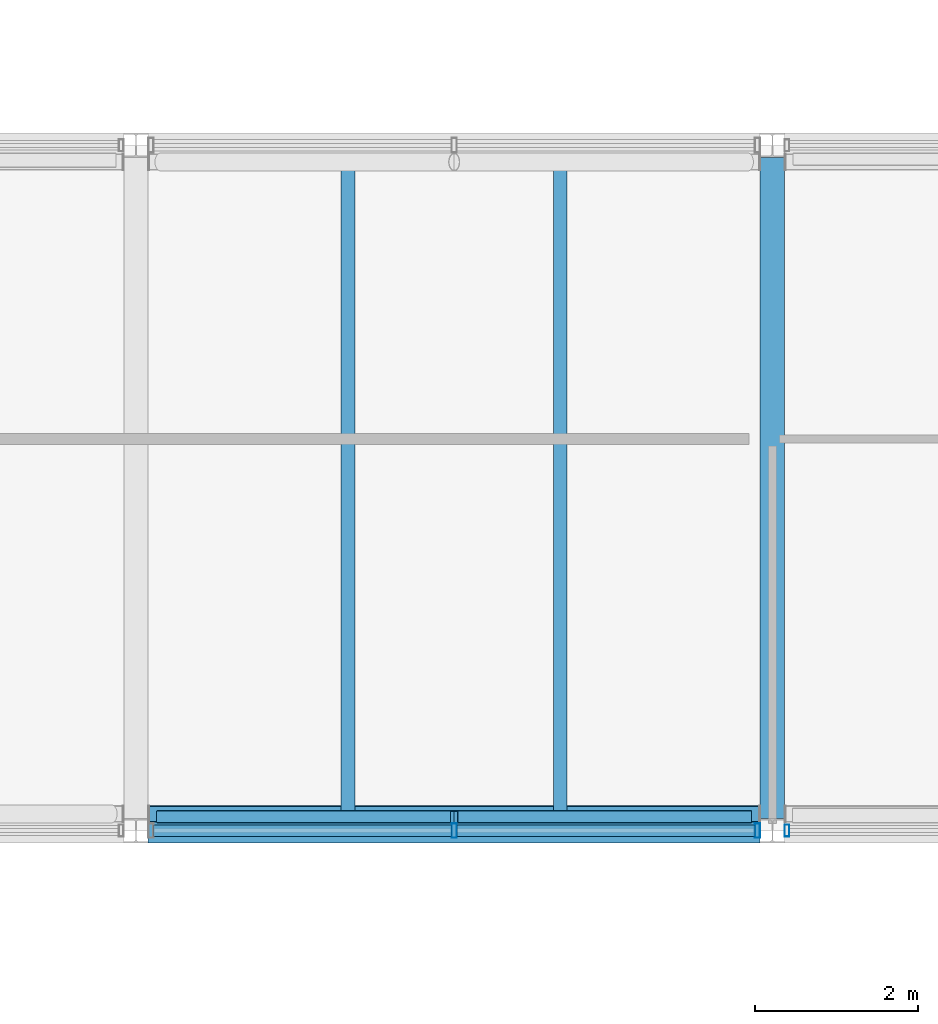
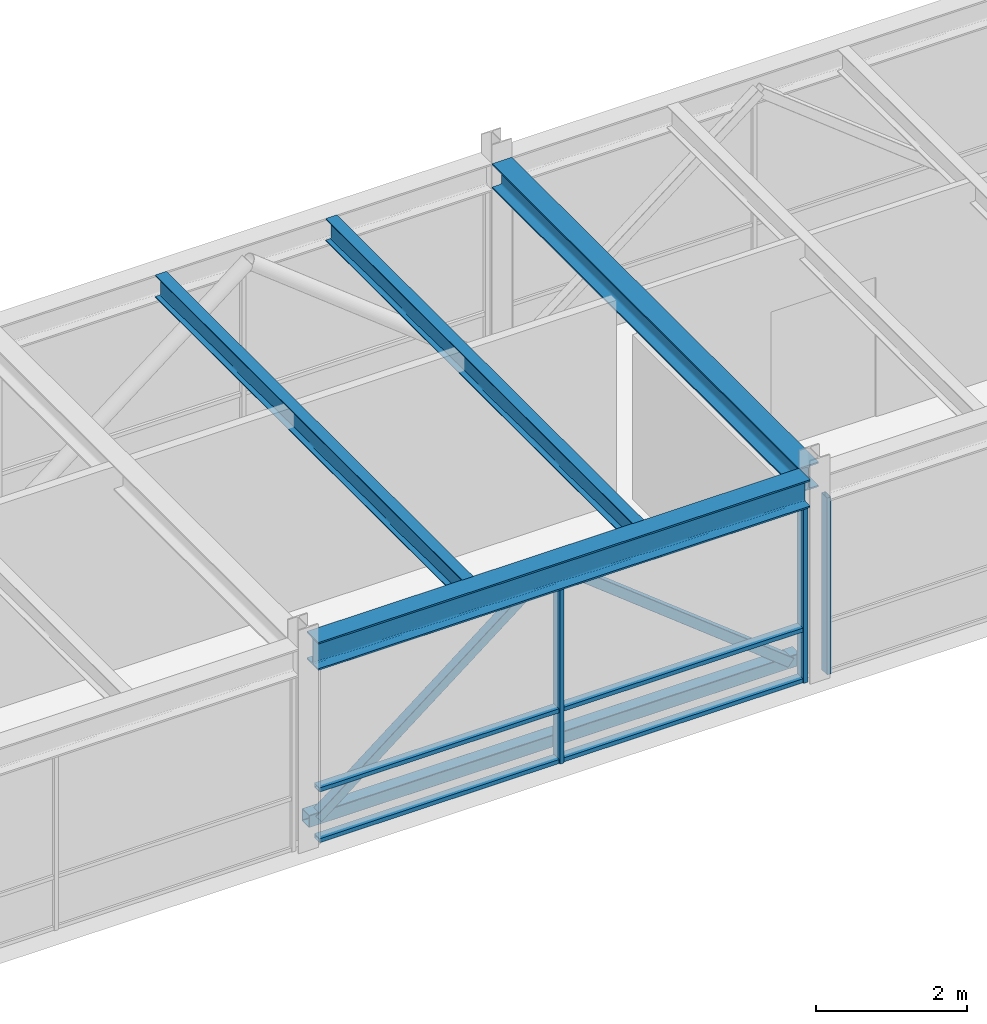
# One storey, part 13 of 49: 12 members, 4 beams, 2 elements without a shape of their own.
"""IFC4 building model written with IfcOpenShell, lengths in metres."""

from ifc_helpers import new_model, si_unit, direction, frame, origin, origin_2d, place, context, subcontext, project, spatial, hollow_rectangle, i_section, extrude, material, material_profile, profile_set, type_object, element, aggregate, save


model = new_model("IFC4")

# Units and contexts
model_context = context("Model", 3, precision=1e-05, world=origin(), true_north=direction((0.0, 1.0)))
body_context = subcontext(model_context, "Body", "Model", "MODEL_VIEW")
ifc_project = project(units=[si_unit("LENGTHUNIT", "METRE"), si_unit("AREAUNIT", "SQUARE_METRE"), si_unit("VOLUMEUNIT", "CUBIC_METRE"), si_unit("PLANEANGLEUNIT", "RADIAN"), si_unit("MASSUNIT", "GRAM", prefix="KILO"), si_unit("THERMODYNAMICTEMPERATUREUNIT", "KELVIN"), si_unit("POWERUNIT", "WATT")], contexts=[model_context])

# Site, building, storey
site_placement = place(None, origin())
site = spatial("IfcSite", under=ifc_project, at=site_placement, CompositionType="ELEMENT")
building_placement = place(site_placement, origin())
building = spatial("IfcBuilding", under=site, at=building_placement, Name="Srebrne Nadtorze General Hospital", CompositionType="ELEMENT")
storey_placement = place(building_placement, frame((0.0, 0.0, 26.10009765625)))
storey = spatial("IfcBuildingStorey", under=building, at=storey_placement, Name="L06", CompositionType="ELEMENT", Elevation=26.10009765625)

# Beams
ifc_material_1 = material(Name="Steel S355J2", Category="steel")
ifc_material_profile_1 = material_profile(ifc_material_1, i_section(OverallWidth=0.300048828125, OverallDepth=0.39990234375, WebThickness=0.013427734375, FlangeThickness=0.02392578125, FilletRadius=0.027099609375, at=origin_2d()), Name="HEB-400")
ifc_profile_set_1 = profile_set([ifc_material_profile_1], Name="Steel S355J2")
beam_type_1 = type_object("IfcBeamType", Name="Courtyard bridge girder HEB 400", PredefinedType="BEAM", material=ifc_profile_set_1)
beam_1_placement = place(storey_placement, frame((70.199951171875, 50.550048828125, 3.099853515625), z_axis=(0.0, 1.0, 0.0), x_axis=(-1.0, 0.0, 0.0)))
element("IfcBeam", 1, at=beam_1_placement, inside=storey, type_object=beam_type_1, Name="Beam BM-L06-Y-1218", PredefinedType="BEAM", context=body_context, shape_type="SweptSolid", body=[
    extrude(i_section(OverallWidth=0.300048828125, OverallDepth=0.39990234375, WebThickness=0.013427734375, FlangeThickness=0.02392578125, FilletRadius=0.027099609375, at=origin_2d()), origin(), (0.0, 0.0, 1.0), 8.099853515625),
])
ifc_material_2 = material(Name="Steel S355J2", Category="steel")
ifc_material_profile_2 = material_profile(ifc_material_2, i_section(OverallWidth=0.300048828125, OverallDepth=0.449951171875, WebThickness=0.013916015625, FlangeThickness=0.02587890625, FilletRadius=0.027099609375, at=origin_2d()), Name="HEB-450")
ifc_profile_set_2 = profile_set([ifc_material_profile_2], Name="Steel S355J2")
beam_type_2 = type_object("IfcBeamType", Name="Courtyard bridge girder HEB 450", PredefinedType="BEAM", material=ifc_profile_set_2)
beam_2_placement = place(storey_placement, frame((62.550048828125, 50.39990234375, 3.074951171875), z_axis=(1.0, 0.0, 0.0), x_axis=(0.0, 1.0, 0.0)))
element("IfcBeam", 2, at=beam_2_placement, inside=storey, type_object=beam_type_2, Name="Beam BM-L06-X-1155", PredefinedType="BEAM", context=body_context, shape_type="SweptSolid", body=[
    extrude(i_section(OverallWidth=0.300048828125, OverallDepth=0.449951171875, WebThickness=0.013916015625, FlangeThickness=0.02587890625, FilletRadius=0.027099609375, at=origin_2d()), origin(), (0.0, 0.0, 1.0), 7.5),
])

# Curtain wall, member
ifc_material_3 = material(Name="Anodised Aluminium", Category="aluminium")
curtain_wall_type = type_object("IfcCurtainWallType", Name="Bridge curtain wall 7500x2850", PredefinedType="NOTDEFINED", material=ifc_material_3)
curtain_wall_1_placement = place(storey_placement, origin())
curtain_wall_1 = element("IfcCurtainWall", 3, at=curtain_wall_1_placement, inside=storey, type_object=curtain_wall_type, Name="Curtain wall CW-140", PredefinedType="NOTDEFINED")
ifc_material_4 = material(Name="Anodised Aluminium", Category="aluminium")
ifc_material_profile_3 = material_profile(ifc_material_4, hollow_rectangle(XDim=0.06005859375, YDim=0.14990234375, WallThickness=0.00390625, at=origin_2d()), Name="AL-MUL-60x150")
ifc_profile_set_3 = profile_set([ifc_material_profile_3], Name="Anodised Aluminium")
member_type_1 = type_object("IfcMemberType", Name="Curtain mullion 60x150", PredefinedType="MULLION", material=ifc_profile_set_3)
member_1_placement = place(storey_placement, frame((70.3798828125, 50.39990234375, 0.0), z_axis=(0.0, 0.0, 1.0), x_axis=(1.0, 0.0, 0.0)))
member_1 = element("IfcMember", 4, at=member_1_placement, type_object=member_type_1, Name="CW-140 mullion 1", PredefinedType="MULLION", context=body_context, shape_type="SweptSolid", body=[
    extrude(hollow_rectangle(XDim=0.06005859375, YDim=0.14990234375, WallThickness=0.00390625, at=origin_2d()), origin(), (0.0, 0.0, 1.0), 2.849853515625),
])
aggregate(curtain_wall_1, [member_1])

# Curtain wall, members
curtain_wall_2_placement = place(storey_placement, origin())
curtain_wall_2 = element("IfcCurtainWall", 5, at=curtain_wall_2_placement, inside=storey, type_object=curtain_wall_type, Name="Curtain wall CW-139", PredefinedType="NOTDEFINED")
ifc_material_5 = material(Name="Anodised Aluminium", Category="aluminium")
ifc_material_profile_4 = material_profile(ifc_material_5, hollow_rectangle(XDim=0.06494140625, YDim=0.179931640625, WallThickness=0.00390625, at=origin_2d()), Name="AL-MUL-65x180")
ifc_profile_set_4 = profile_set([ifc_material_profile_4], Name="Anodised Aluminium")
member_type_2 = type_object("IfcMemberType", Name="Curtain mullion 65x180", PredefinedType="MULLION", material=ifc_profile_set_4)
member_2_placement = place(storey_placement, frame((66.300048828125, 50.39990234375, 0.0), z_axis=(0.0, 0.0, 1.0), x_axis=(1.0, 0.0, 0.0)))
member_2 = element("IfcMember", 6, at=member_2_placement, type_object=member_type_2, Name="CW-139 mullion 2", PredefinedType="MULLION", context=body_context, shape_type="SweptSolid", body=[
    extrude(hollow_rectangle(XDim=0.06494140625, YDim=0.179931640625, WallThickness=0.00390625, at=origin_2d()), origin(), (0.0, 0.0, 1.0), 2.849853515625),
])
member_3_placement = place(storey_placement, frame((70.017578125, 50.39990234375, 0.0), z_axis=(0.0, 0.0, 1.0), x_axis=(1.0, 0.0, 0.0)))
member_3 = element("IfcMember", 7, at=member_3_placement, type_object=member_type_2, Name="CW-139 mullion 3", PredefinedType="MULLION", context=body_context, shape_type="SweptSolid", body=[
    extrude(hollow_rectangle(XDim=0.06494140625, YDim=0.179931640625, WallThickness=0.00390625, at=origin_2d()), origin(), (0.0, 0.0, 1.0), 2.849853515625),
])
ifc_material_6 = material(Name="Anodised Aluminium", Category="aluminium")
ifc_material_profile_5 = material_profile(ifc_material_6, hollow_rectangle(XDim=0.06494140625, YDim=0.139892578125, WallThickness=0.00390625, at=origin_2d()), Name="AL-TRN-65x140")
ifc_profile_set_5 = profile_set([ifc_material_profile_5], Name="Anodised Aluminium")
member_type_3 = type_object("IfcMemberType", Name="Curtain transom 65x140", PredefinedType="USERDEFINED", material=ifc_profile_set_5)
member_4_placement = place(storey_placement, frame((62.614990234375, 50.39990234375, 0.032470703125), z_axis=(1.0, 0.0, 0.0), x_axis=(0.0, 0.0, 1.0)))
member_4 = element("IfcMember", 8, at=member_4_placement, type_object=member_type_3, Name="CW-139 transom 1.1", ObjectType="TRANSOM", PredefinedType="USERDEFINED", context=body_context, shape_type="SweptSolid", body=[
    extrude(hollow_rectangle(XDim=0.06494140625, YDim=0.139892578125, WallThickness=0.00390625, at=origin_2d()), origin(), (0.0, 0.0, 1.0), 3.652587890625),
])
member_5_placement = place(storey_placement, frame((62.614990234375, 50.39990234375, 0.849853515625), z_axis=(1.0, 0.0, 0.0), x_axis=(0.0, 0.0, 1.0)))
member_5 = element("IfcMember", 9, at=member_5_placement, type_object=member_type_3, Name="CW-139 transom 1.2", ObjectType="TRANSOM", PredefinedType="USERDEFINED", context=body_context, shape_type="SweptSolid", body=[
    extrude(hollow_rectangle(XDim=0.06494140625, YDim=0.139892578125, WallThickness=0.00390625, at=origin_2d()), origin(), (0.0, 0.0, 1.0), 3.652587890625),
])
member_6_placement = place(storey_placement, frame((62.614990234375, 50.39990234375, 2.8173828125), z_axis=(1.0, 0.0, 0.0), x_axis=(0.0, 0.0, 1.0)))
member_6 = element("IfcMember", 10, at=member_6_placement, type_object=member_type_3, Name="CW-139 transom 1.3", ObjectType="TRANSOM", PredefinedType="USERDEFINED", context=body_context, shape_type="SweptSolid", body=[
    extrude(hollow_rectangle(XDim=0.06494140625, YDim=0.139892578125, WallThickness=0.00390625, at=origin_2d()), origin(), (0.0, 0.0, 1.0), 3.652587890625),
])
member_7_placement = place(storey_placement, frame((66.33251953125, 50.39990234375, 0.032470703125), z_axis=(1.0, 0.0, 0.0), x_axis=(0.0, 0.0, 1.0)))
member_7 = element("IfcMember", 11, at=member_7_placement, type_object=member_type_3, Name="CW-139 transom 2.1", ObjectType="TRANSOM", PredefinedType="USERDEFINED", context=body_context, shape_type="SweptSolid", body=[
    extrude(hollow_rectangle(XDim=0.06494140625, YDim=0.139892578125, WallThickness=0.00390625, at=origin_2d()), origin(), (0.0, 0.0, 1.0), 3.652587890625),
])
member_8_placement = place(storey_placement, frame((66.33251953125, 50.39990234375, 0.849853515625), z_axis=(1.0, 0.0, 0.0), x_axis=(0.0, 0.0, 1.0)))
member_8 = element("IfcMember", 12, at=member_8_placement, type_object=member_type_3, Name="CW-139 transom 2.2", ObjectType="TRANSOM", PredefinedType="USERDEFINED", context=body_context, shape_type="SweptSolid", body=[
    extrude(hollow_rectangle(XDim=0.06494140625, YDim=0.139892578125, WallThickness=0.00390625, at=origin_2d()), origin(), (0.0, 0.0, 1.0), 3.652587890625),
])
member_9_placement = place(storey_placement, frame((66.33251953125, 50.39990234375, 2.8173828125), z_axis=(1.0, 0.0, 0.0), x_axis=(0.0, 0.0, 1.0)))
member_9 = element("IfcMember", 13, at=member_9_placement, type_object=member_type_3, Name="CW-139 transom 2.3", ObjectType="TRANSOM", PredefinedType="USERDEFINED", context=body_context, shape_type="SweptSolid", body=[
    extrude(hollow_rectangle(XDim=0.06494140625, YDim=0.139892578125, WallThickness=0.00390625, at=origin_2d()), origin(), (0.0, 0.0, 1.0), 3.652587890625),
])
aggregate(curtain_wall_2, [member_2, member_3, member_4, member_5, member_6, member_7, member_8, member_9])

# Beams
ifc_material_7 = material(Name="Steel S355J2", Category="steel")
ifc_material_profile_6 = material_profile(ifc_material_7, i_section(OverallWidth=0.169921875, OverallDepth=0.360107421875, WebThickness=0.008056640625, FlangeThickness=0.0126953125, FilletRadius=0.01806640625, at=origin_2d()), Name="IPE-360")
ifc_profile_set_6 = profile_set([ifc_material_profile_6], Name="Steel S355J2")
beam_type_3 = type_object("IfcBeamType", Name="Deck joist IPE 360", PredefinedType="JOIST", material=ifc_profile_set_6)
for number, where, z_axis, x_axis, name in (
    (14, (65.0, 50.544921875, 3.119873046875), (0.0, 1.0, 0.0), (-1.0, 0.0, 0.0), "Clinical courtyard bridge deck joist 166"),
    (15, (67.60009765625, 50.544921875, 3.119873046875), (0.0, 1.0, 0.0), (-1.0, 0.0, 0.0), "Clinical courtyard bridge deck joist 167"),
):
    element("IfcBeam", number, at=place(storey_placement, frame(where, z_axis=z_axis, x_axis=x_axis)), inside=storey, type_object=beam_type_3, Name=name, PredefinedType="JOIST", context=body_context, shape_type="SweptSolid", body=[
        extrude(i_section(OverallWidth=0.169921875, OverallDepth=0.360107421875, WebThickness=0.008056640625, FlangeThickness=0.0126953125, FilletRadius=0.01806640625, at=origin_2d()), origin(), (0.0, 0.0, 1.0), 8.110107421875),
    ])

# Members
ifc_material_8 = material(Name="Steel S355J2", Category="steel")
ifc_material_profile_7 = material_profile(ifc_material_8, hollow_rectangle(XDim=0.199951171875, YDim=0.199951171875, WallThickness=0.010009765625, InnerFilletRadius=0.010009765625, OuterFilletRadius=0.014892578125, at=origin_2d()), Name="SHS-200x200x10")
ifc_profile_set_7 = profile_set([ifc_material_profile_7], Name="Steel S355J2")
member_type_4 = type_object("IfcMemberType", Name="Truss chord SHS 200x200x10", PredefinedType="CHORD", material=ifc_profile_set_7)
member_10_placement = place(storey_placement, frame((62.56201171875, 50.60498046875, 0.25), z_axis=(1.0, 0.0, 0.0), x_axis=(0.0, 1.0, 0.0)))
element("IfcMember", 16, at=member_10_placement, inside=storey, type_object=member_type_4, Name="Clinical courtyard bridge truss chord 14", PredefinedType="CHORD", context=body_context, shape_type="SweptSolid", body=[
    extrude(hollow_rectangle(XDim=0.199951171875, YDim=0.199951171875, WallThickness=0.010009765625, InnerFilletRadius=0.010009765625, OuterFilletRadius=0.014892578125, at=origin_2d()), origin(), (0.0, 0.0, 1.0), 7.47607421875),
])
ifc_material_9 = material(Name="Steel S355J2", Category="steel")
ifc_material_profile_8 = material_profile(ifc_material_9, hollow_rectangle(XDim=0.14990234375, YDim=0.14990234375, WallThickness=0.00634765625, InnerFilletRadius=0.006103515625, OuterFilletRadius=0.009033203125, at=origin_2d()), Name="SHS-150x150x6.3")
ifc_profile_set_8 = profile_set([ifc_material_profile_8], Name="Steel S355J2")
member_type_5 = type_object("IfcMemberType", Name="Wind brace SHS 150x150x6.3", PredefinedType="BRACE", material=ifc_profile_set_8)
member_11_placement = place(storey_placement, frame((62.699951171875, 50.570068359375, 0.25), z_axis=(0.786192517778, 0.0, 0.61798165425), x_axis=(0.0, 1.0, 0.0)))
element("IfcMember", 17, at=member_11_placement, inside=storey, type_object=member_type_5, Name="Clinical courtyard bridge brace 27", PredefinedType="BRACE", context=body_context, shape_type="SweptSolid", body=[
    extrude(hollow_rectangle(XDim=0.14990234375, YDim=0.14990234375, WallThickness=0.00634765625, InnerFilletRadius=0.006103515625, OuterFilletRadius=0.009033203125, at=origin_2d()), origin(), (0.0, 0.0, 1.0), 4.5791015625),
])
member_12_placement = place(storey_placement, frame((69.89990234375, 50.570068359375, 0.25), z_axis=(-0.786172155182, 0.0, 0.618007558543), x_axis=(0.0, -1.0, 0.0)))
element("IfcMember", 18, at=member_12_placement, inside=storey, type_object=member_type_5, Name="Clinical courtyard bridge brace 28", PredefinedType="BRACE", context=body_context, shape_type="SweptSolid", body=[
    extrude(hollow_rectangle(XDim=0.14990234375, YDim=0.14990234375, WallThickness=0.00634765625, InnerFilletRadius=0.006103515625, OuterFilletRadius=0.009033203125, at=origin_2d()), origin(), (0.0, 0.0, 1.0), 4.578857421875),
])

save(model, "model.ifc")
